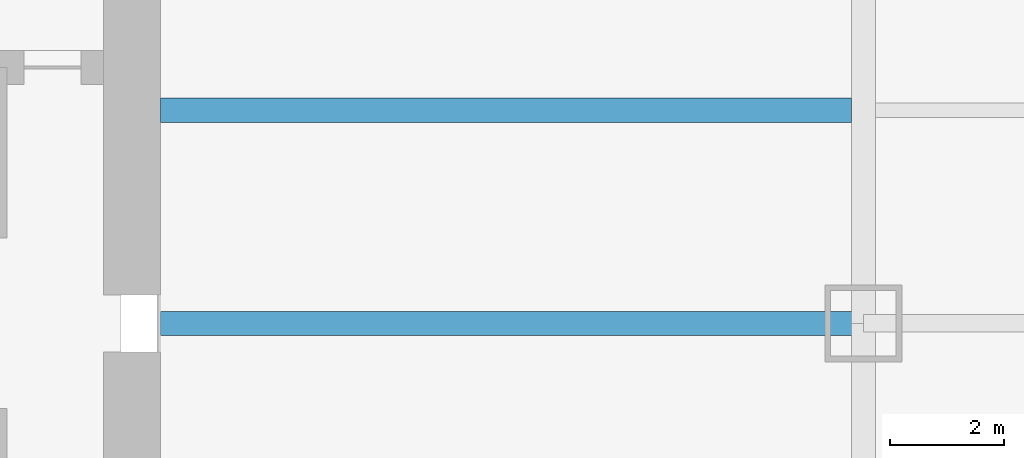
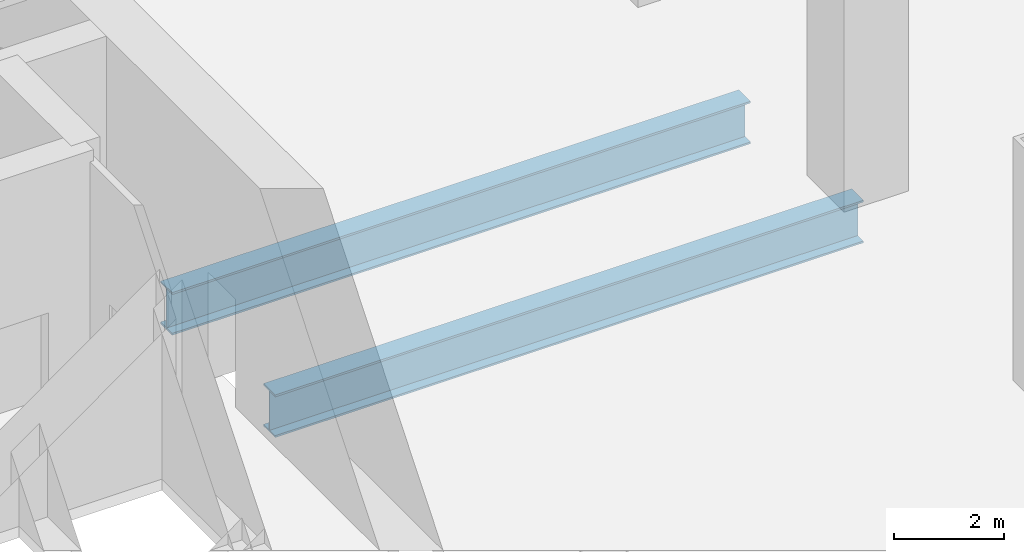
# One storey, part 5 of 16: 2 beams.
"""IFC4 building model written with IfcOpenShell, lengths in metres."""

from ifc_helpers import new_model, si_unit, direction, frame, origin, origin_2d, place, context, subcontext, project, spatial, i_section, extrude, material, material_profile, profile_set, type_object, element, save


model = new_model("IFC4")

# Units and contexts
model_context = context("Model", 3, precision=1e-05, world=origin(), true_north=direction((0.0, 1.0)))
body_context = subcontext(model_context, "Body", "Model", "MODEL_VIEW")
ifc_project = project(units=[si_unit("LENGTHUNIT", "METRE"), si_unit("AREAUNIT", "SQUARE_METRE"), si_unit("VOLUMEUNIT", "CUBIC_METRE"), si_unit("PLANEANGLEUNIT", "RADIAN"), si_unit("MASSUNIT", "GRAM", prefix="KILO")], contexts=[model_context])

# Site, building, storey
site_placement = place(None, origin())
site = spatial("IfcSite", under=ifc_project, at=site_placement, CompositionType="ELEMENT")
building_placement = place(site_placement, origin())
building = spatial("IfcBuilding", under=site, at=building_placement, Name="Tarangal Relay Tower", CompositionType="ELEMENT")
storey_placement = place(building_placement, frame((0.0, 0.0, 7.199951171875)))
storey = spatial("IfcBuildingStorey", under=building, at=storey_placement, Name="L01", CompositionType="ELEMENT", Elevation=7.199951171875)

# Beams
ifc_material = material(Name="Steel ASTM A992", Category="steel")
ifc_material_profile = material_profile(ifc_material, i_section(OverallWidth=0.42431640625, OverallDepth=0.947509765625, WebThickness=0.02392578125, FlangeThickness=0.042724609375, at=origin_2d()), Name="W36X302")
ifc_profile_set = profile_set([ifc_material_profile], Name="Steel ASTM A992")
beam_type = type_object("IfcBeamType", Name="Floor beam W36X302", PredefinedType="BEAM", material=ifc_profile_set)
beam_1_placement = place(storey_placement, frame((12.0, 3.75, -0.7236328125), z_axis=(1.0, 0.0, 0.0), x_axis=(0.0, 1.0, 0.0)))
element("IfcBeam", 1, at=beam_1_placement, inside=storey, type_object=beam_type, Name="Floor beam RB10 E L01", PredefinedType="BEAM", context=body_context, shape_type="SweptSolid", body=[
    extrude(i_section(OverallWidth=0.42431640625, OverallDepth=0.947509765625, WebThickness=0.02392578125, FlangeThickness=0.042724609375, at=origin_2d()), origin(), (0.0, 0.0, 1.0), 12.156982421875),
])
beam_2_placement = place(storey_placement, frame((12.0, 0.0, -0.7236328125), z_axis=(1.0, 0.0, 0.0), x_axis=(0.0, 1.0, 0.0)))
element("IfcBeam", 2, at=beam_2_placement, inside=storey, type_object=beam_type, Name="Floor beam RB10 E L01", PredefinedType="BEAM", context=body_context, shape_type="SweptSolid", body=[
    extrude(i_section(OverallWidth=0.42431640625, OverallDepth=0.947509765625, WebThickness=0.02392578125, FlangeThickness=0.042724609375, at=origin_2d()), origin(), (0.0, 0.0, 1.0), 12.364990234375),
])

save(model, "model.ifc")
